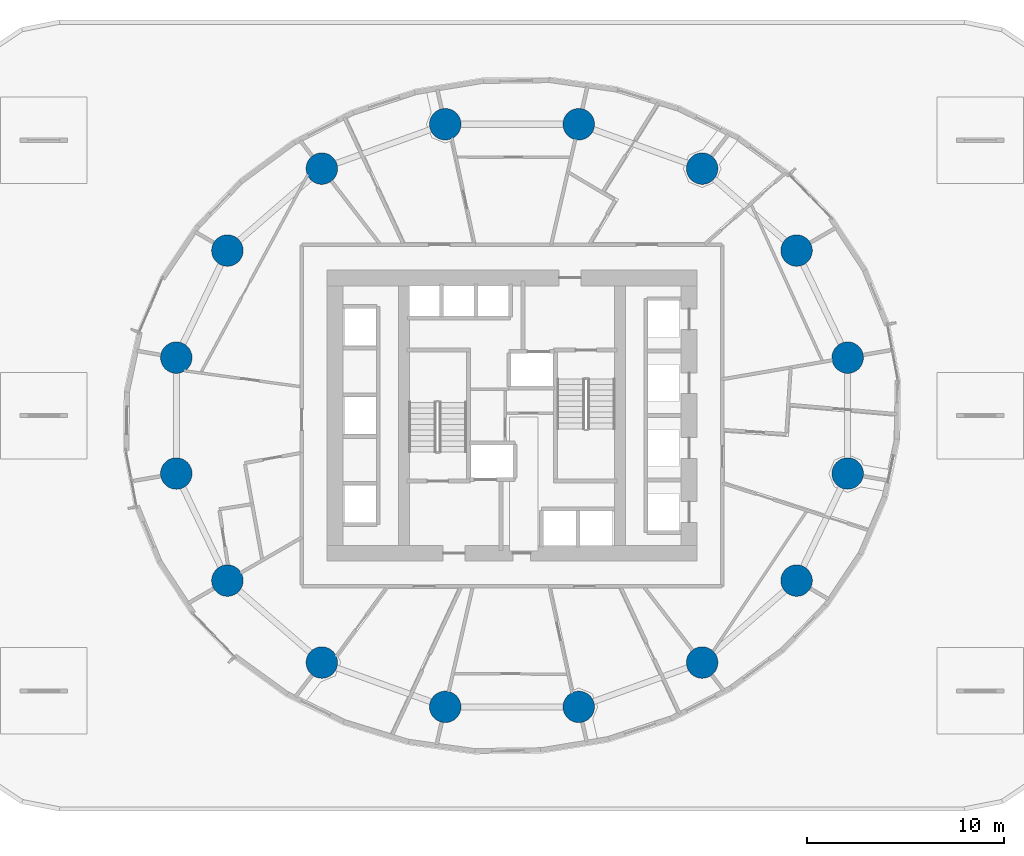
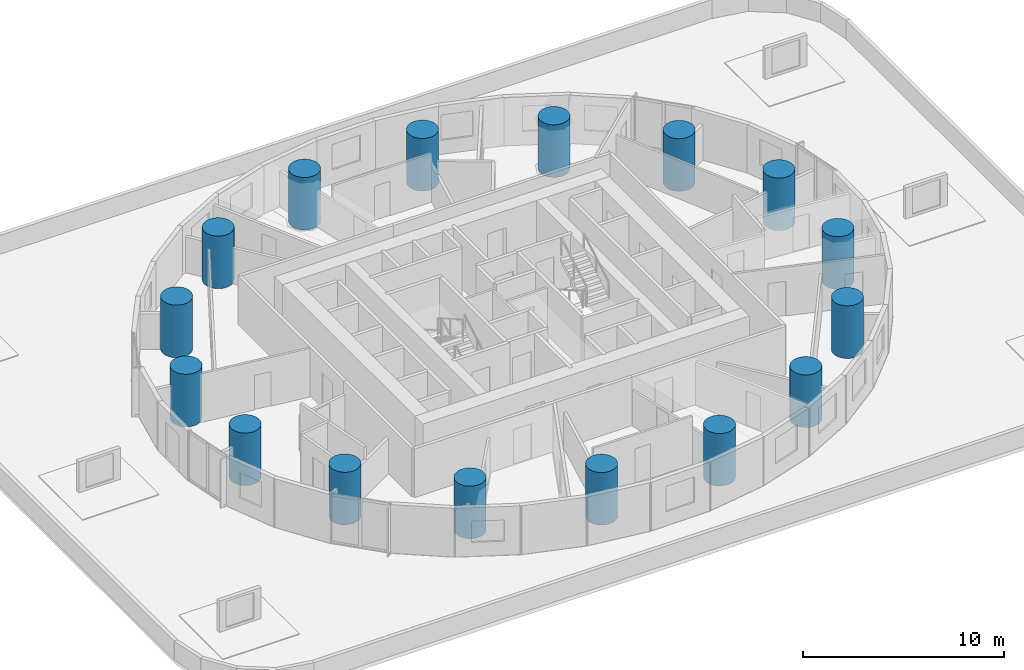
# One storey, part 1 of 12: 16 columns.
"""IFC4 building model written with IfcOpenShell, lengths in metres."""

from ifc_helpers import new_model, si_unit, direction, frame, origin, origin_2d, place, context, subcontext, project, spatial, circle, extrude, material, material_profile, profile_set, type_object, element, save


model = new_model("IFC4")

# Units and contexts
model_context = context("Model", 3, precision=1e-05, world=origin(), true_north=direction((0.0, 1.0)))
body_context = subcontext(model_context, "Body", "Model", "MODEL_VIEW")
ifc_project = project(units=[si_unit("LENGTHUNIT", "METRE"), si_unit("AREAUNIT", "SQUARE_METRE"), si_unit("VOLUMEUNIT", "CUBIC_METRE"), si_unit("PLANEANGLEUNIT", "RADIAN"), si_unit("MASSUNIT", "GRAM", prefix="KILO")], contexts=[model_context])

# Site, building, storey
site_placement = place(None, origin())
site = spatial("IfcSite", under=ifc_project, at=site_placement, CompositionType="ELEMENT")
building_placement = place(site_placement, origin())
building = spatial("IfcBuilding", under=site, at=building_placement, Name="Veldorim Arch Residences", CompositionType="ELEMENT")
storey_placement = place(building_placement, frame((0.0, 0.0, 24.800048828125)))
storey = spatial("IfcBuildingStorey", under=building, at=storey_placement, Name="L06", CompositionType="ELEMENT", Elevation=24.800048828125)

# Columns
ifc_material = material(Name="Concrete C60/75", Category="concrete")
ifc_material_profile = material_profile(ifc_material, circle(Radius=0.800048828125, at=origin_2d()), Name="RC_CIRC_1600")
ifc_profile_set = profile_set([ifc_material_profile], Name="Concrete C60/75")
column_type = type_object("IfcColumnType", Name="Structural Column RC_CIRC_1600", PredefinedType="COLUMN", material=ifc_profile_set)
for number, where, z_axis, x_axis, name in (
    (1, (49.065673828125, 26.94580078125, 0.0), (0.0, 0.0, 1.0), (1.0, 0.0, 0.0), "L06 TC-Z1-01 perimeter column"),
    (2, (46.467529296875, 32.38916015625, 0.0), (0.0, 0.0, 1.0), (1.0, 0.0, 0.0), "L06 TC-Z1-02 perimeter column"),
    (3, (41.6669921875, 36.55517578125, 0.0), (0.0, 0.0, 1.0), (1.0, 0.0, 0.0), "L06 TC-Z1-03 perimeter column"),
    (4, (35.39453125, 38.809814453125, 0.0), (0.0, 0.0, 1.0), (1.0, 0.0, 0.0), "L06 TC-Z1-04 perimeter column"),
    (5, (28.60546875, 38.809814453125, 0.0), (0.0, 0.0, 1.0), (1.0, 0.0, 0.0), "L06 TC-Z1-05 perimeter column"),
    (6, (22.3330078125, 36.55517578125, 0.0), (0.0, 0.0, 1.0), (1.0, 0.0, 0.0), "L06 TC-Z1-06 perimeter column"),
    (7, (17.532470703125, 32.38916015625, 0.0), (0.0, 0.0, 1.0), (1.0, 0.0, 0.0), "L06 TC-Z1-07 perimeter column"),
    (8, (14.934326171875, 26.94580078125, 0.0), (0.0, 0.0, 1.0), (1.0, 0.0, 0.0), "L06 TC-Z1-08 perimeter column"),
    (9, (14.934326171875, 21.05419921875, 0.0), (0.0, 0.0, 1.0), (1.0, 0.0, 0.0), "L06 TC-Z1-09 perimeter column"),
    (10, (17.532470703125, 15.61083984375, 0.0), (0.0, 0.0, 1.0), (1.0, 0.0, 0.0), "L06 TC-Z1-10 perimeter column"),
    (11, (22.3330078125, 11.44482421875, 0.0), (0.0, 0.0, 1.0), (1.0, 0.0, 0.0), "L06 TC-Z1-11 perimeter column"),
    (12, (28.60546875, 9.190185546875, 0.0), (0.0, 0.0, 1.0), (1.0, 0.0, 0.0), "L06 TC-Z1-12 perimeter column"),
    (13, (35.39453125, 9.190185546875, 0.0), (0.0, 0.0, 1.0), (1.0, 0.0, 0.0), "L06 TC-Z1-13 perimeter column"),
    (14, (41.6669921875, 11.44482421875, 0.0), (0.0, 0.0, 1.0), (1.0, 0.0, 0.0), "L06 TC-Z1-14 perimeter column"),
    (15, (46.467529296875, 15.61083984375, 0.0), (0.0, 0.0, 1.0), (1.0, 0.0, 0.0), "L06 TC-Z1-15 perimeter column"),
    (16, (49.065673828125, 21.05419921875, 0.0), (0.0, 0.0, 1.0), (1.0, 0.0, 0.0), "L06 TC-Z1-16 perimeter column"),
):
    element("IfcColumn", number, at=place(storey_placement, frame(where, z_axis=z_axis, x_axis=x_axis)), inside=storey, type_object=column_type, Name=name, PredefinedType="COLUMN", context=body_context, shape_type="SweptSolid", body=[
        extrude(circle(Radius=0.800048828125, at=origin_2d()), origin(), (0.0, 0.0, 1.0), 3.199951171875),
    ])

save(model, "model.ifc")
